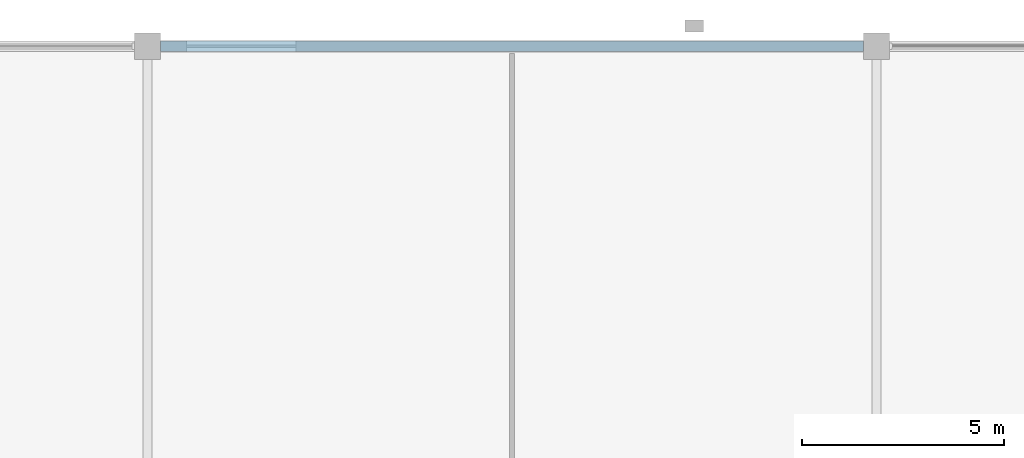
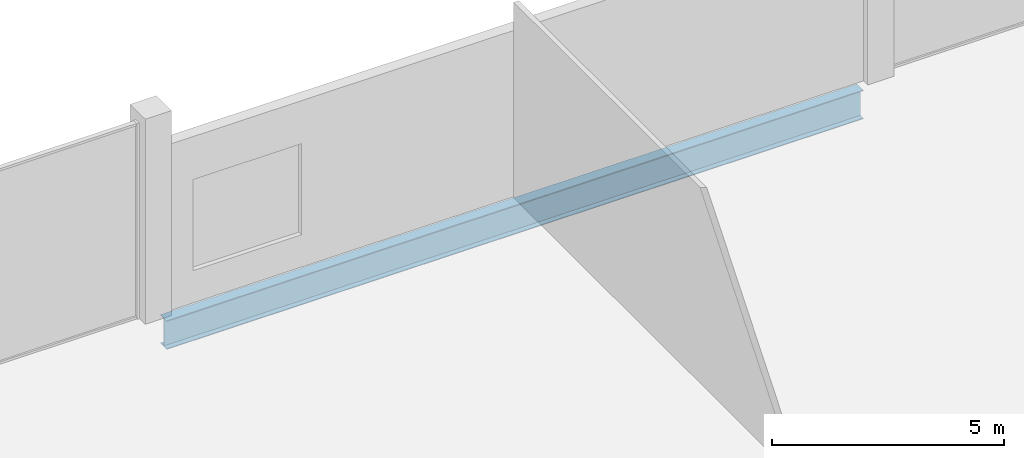
# One storey, part 40 of 111: 1 beam.
"""IFC4 building model written with IfcOpenShell, lengths in metres."""

import ifcopenshell
import ifcopenshell.guid

model = None  # the IFC model being written
_history = None  # IfcOwnerHistory: only IFC2X3 demands one
_inside = {}  # id of a spatial element -> (the spatial element, [elements in it])
_under = {}  # id of a project, library or spatial element -> (it, [spatial elements below it])
_declared = {}  # id of a project -> (the project, [libraries it declares])
_typed = {}  # id of a type object -> (the type object, [elements of that type])
_made_of = {}  # id of a material, layer set ... -> (it, [elements and type objects made of it])


def new_model(schema):
    """Start an empty IFC model of exactly this schema.

    Asked for "IFC4X3", IfcOpenShell would pick the latest addendum, in which some entities
    have other attributes; the version numbers below select the first issue.
    IFC2X3 requires an IfcOwnerHistory on every rooted entity: one is made here for all.
    """
    global model, _history
    if schema == "IFC4X3":
        model = ifcopenshell.file(schema_version=(4, 3, 0, 0))
    else:
        model = ifcopenshell.file(schema=schema)
    _inside.clear()
    _under.clear()
    _declared.clear()
    _typed.clear()
    _made_of.clear()
    _history = None
    if model.schema == "IFC2X3":
        org = make("IfcOrganization", Name="unknown")
        user = make(
            "IfcPersonAndOrganization",
            ThePerson=make("IfcPerson", FamilyName="unknown"),
            TheOrganization=org,
        )
        app = make(
            "IfcApplication",
            ApplicationDeveloper=org,
            Version="unknown",
            ApplicationFullName="unknown",
            ApplicationIdentifier="unknown",
        )
        _history = make(
            "IfcOwnerHistory",
            OwningUser=user,
            OwningApplication=app,
            ChangeAction="ADDED",
            CreationDate=0,
        )
    return model


def make(cls, **values):
    """One entity of the class cls with the attributes given. An attribute that is None is left unset."""
    return model.create_entity(
        cls, **{name: value for name, value in values.items() if value is not None}
    )


def rooted(cls, **values):
    """An entity with a GlobalId (a new one), such as an element, a storey or a relation."""
    return make(cls, GlobalId=ifcopenshell.guid.new(), OwnerHistory=_history, **values)


def si_unit(unit_type, name, prefix=None):
    """IfcSIUnit, for example si_unit("LENGTHUNIT", "METRE", prefix="MILLI")."""
    return make("IfcSIUnit", UnitType=unit_type, Prefix=prefix, Name=name)


def assignment(units):
    """IfcUnitAssignment: the units of a project."""
    return None if units is None else make("IfcUnitAssignment", Units=units)


def point(xyz):
    """IfcCartesianPoint."""
    return None if xyz is None else make("IfcCartesianPoint", Coordinates=xyz)


def direction(xyz):
    """IfcDirection."""
    return None if xyz is None else make("IfcDirection", DirectionRatios=xyz)


def frame(location, z_axis=None, x_axis=None):
    """IfcAxis2Placement3D, a coordinate frame: its origin and axes. An axis left out is left unset."""
    return make(
        "IfcAxis2Placement3D",
        Location=point(location),
        Axis=direction(z_axis),
        RefDirection=direction(x_axis),
    )


def frame_2d(location, x_axis=None):
    """IfcAxis2Placement2D, a coordinate frame in the plane: its origin and x axis."""
    return make(
        "IfcAxis2Placement2D", Location=point(location), RefDirection=direction(x_axis)
    )


def origin():
    """The frame at (0, 0, 0) with its axes left unset."""
    return frame((0.0, 0.0, 0.0))


def origin_2d():
    """The frame at (0, 0) in the plane with its x axis left unset."""
    return frame_2d((0.0, 0.0))


def place(relative_to, where):
    """IfcLocalPlacement: puts the frame where relative to a parent placement (None: the world)."""
    return make(
        "IfcLocalPlacement", PlacementRelTo=relative_to, RelativePlacement=where
    )


def context(
    kind, dimensions, precision=None, world=None, true_north=None, identifier=None
):
    """IfcGeometricRepresentationContext, for example the 3D "Model" context."""
    return make(
        "IfcGeometricRepresentationContext",
        ContextIdentifier=identifier,
        ContextType=kind,
        CoordinateSpaceDimension=dimensions,
        Precision=precision,
        WorldCoordinateSystem=world,
        TrueNorth=true_north,
    )


def subcontext(parent, identifier, kind, view, scale=None):
    """IfcGeometricRepresentationSubContext, for example "Body" below "Model"."""
    return make(
        "IfcGeometricRepresentationSubContext",
        ContextIdentifier=identifier,
        ContextType=kind,
        ParentContext=parent,
        TargetScale=scale,
        TargetView=view,
    )


def project(units=None, contexts=None):
    """IfcProject with its units and contexts."""
    return rooted(
        "IfcProject",
        Name="project",
        RepresentationContexts=contexts,
        UnitsInContext=assignment(units),
    )


def spatial(cls, under=None, at=None, **own):
    """A site, building, storey or space (cls), placed at a placement, below another one or the project."""
    s = rooted(cls, ObjectPlacement=at, **own)
    if under is not None:
        _under.setdefault(under.id(), (under, []))[1].append(s)
    return s


def profile(cls, at=None, kind="AREA", **sizes):
    """A parametric profile (cls). Its sizes go by their IFC names, for example OverallWidth=200.0."""
    return make(cls, ProfileType=kind, Position=at, **sizes)


def i_section(**sizes):
    """IfcIShapeProfileDef."""
    return profile("IfcIShapeProfileDef", **sizes)


def extrude(swept, where, along, depth):
    """IfcExtrudedAreaSolid: the profile swept, set in the frame where, extruded along a direction by depth."""
    return make(
        "IfcExtrudedAreaSolid",
        SweptArea=swept,
        Position=where,
        ExtrudedDirection=direction(along),
        Depth=depth,
    )


def shape(context_of_items, identifier, shape_type, items):
    """IfcShapeRepresentation: the items that make up one representation, for example the "Body"."""
    return make(
        "IfcShapeRepresentation",
        ContextOfItems=context_of_items,
        RepresentationIdentifier=identifier,
        RepresentationType=shape_type,
        Items=items,
    )


def material(Name=None, Category=None):
    """IfcMaterial."""
    return make("IfcMaterial", Name=Name, Category=Category)


def material_profile(
    of_material, cross_section, Name=None, Category=None, Priority=None
):
    """IfcMaterialProfile: a cross section and its material."""
    return make(
        "IfcMaterialProfile",
        Name=Name,
        Material=of_material,
        Profile=cross_section,
        Priority=Priority,
        Category=Category,
    )


def profile_set(profiles, Name=None, composite=None):
    """IfcMaterialProfileSet."""
    return make(
        "IfcMaterialProfileSet",
        Name=Name,
        MaterialProfiles=profiles,
        CompositeProfile=composite,
    )


def made_of(thing, what):
    """Note that an element or type object is made of a material, layer set ...; save() writes the relation."""
    if what is not None:
        _made_of.setdefault(what.id(), (what, []))[1].append(thing)
    return thing


def type_object(cls, material=None, **own):
    """A type object (cls), such as IfcWallType, which elements share."""
    return made_of(rooted(cls, **own), material)


def element(
    cls,
    number,
    at=None,
    inside=None,
    cuts=None,
    type_object=None,
    material=None,
    context=None,
    identifier="Body",
    shape_type=None,
    held_by="IfcProductDefinitionShape",
    body=None,
    shapes=None,
    **own,
):
    """One element of the class cls, such as IfcWall. Its Tag is "e" and its number.

    at: its placement. inside: the storey or other place that contains it. cuts: it is an
    opening in that element (IfcRelVoidsElement). A single representation is given by context,
    identifier, shape_type and body (its items); several are given by shapes. held_by: the class
    of the entity that holds the representations. save() writes the other relations.
    """
    e = rooted(cls, Tag="e%d" % number, ObjectPlacement=at, **own)
    if body is not None:
        shapes = [shape(context, identifier, shape_type, body)]
    if shapes is not None:
        e.Representation = make(held_by, Representations=shapes)
    if inside is not None:
        _inside.setdefault(inside.id(), (inside, []))[1].append(e)
    if cuts is not None:
        rooted(
            "IfcRelVoidsElement", RelatingBuildingElement=cuts, RelatedOpeningElement=e
        )
    if type_object is not None:
        _typed.setdefault(type_object.id(), (type_object, []))[1].append(e)
    return made_of(e, material)


def aggregate(whole, parts):
    """IfcRelAggregates: a whole, such as a stair, and the parts it consists of."""
    return rooted("IfcRelAggregates", RelatingObject=whole, RelatedObjects=parts)


def save(model, path):
    """Write the relations noted so far, then the file.

    IfcRelAggregates (storeys below a building ...), IfcRelContainedInSpatialStructure (elements
    in a storey), IfcRelDefinesByType, IfcRelAssociatesMaterial and IfcRelDeclares: one each for
    every whole, place, type object, material and project.
    """
    for whole, parts in _under.values():
        aggregate(whole, parts)
    for where, things in _inside.values():
        rooted(
            "IfcRelContainedInSpatialStructure",
            RelatedElements=things,
            RelatingStructure=where,
        )
    for kind, things in _typed.values():
        rooted("IfcRelDefinesByType", RelatedObjects=things, RelatingType=kind)
    for what, things in _made_of.values():
        rooted("IfcRelAssociatesMaterial", RelatedObjects=things, RelatingMaterial=what)
    for by, libraries in _declared.values():
        rooted("IfcRelDeclares", RelatingContext=by, RelatedDefinitions=libraries)
    model.write(path)


model = new_model("IFC4")

# Units and contexts
model_context = context("Model", 3, precision=1e-05, world=origin(), true_north=direction((0.0, 1.0)))
body_context = subcontext(model_context, "Body", "Model", "MODEL_VIEW")
ifc_project = project(units=[si_unit("LENGTHUNIT", "METRE"), si_unit("AREAUNIT", "SQUARE_METRE"), si_unit("VOLUMEUNIT", "CUBIC_METRE"), si_unit("PLANEANGLEUNIT", "RADIAN"), si_unit("MASSUNIT", "GRAM", prefix="KILO")], contexts=[model_context])

# Site, building, storey
site_placement = place(None, origin())
site = spatial("IfcSite", under=ifc_project, at=site_placement, CompositionType="ELEMENT")
building_placement = place(site_placement, origin())
building = spatial("IfcBuilding", under=site, at=building_placement, Name="Kisiwana Market Hall", CompositionType="ELEMENT")
storey_placement = place(building_placement, frame((0.0, 0.0, 11.39990234375)))
storey = spatial("IfcBuildingStorey", under=building, at=storey_placement, Name="L02", CompositionType="ELEMENT", Elevation=11.39990234375)

# Beam
ifc_material = material(Name="Steel S355", Category="steel")
ifc_material_profile = material_profile(ifc_material, i_section(OverallWidth=0.2666015625, OverallDepth=0.76220703125, WebThickness=0.014404296875, FlangeThickness=0.021484375, at=origin_2d()), Name="UB 762x267x173")
ifc_profile_set = profile_set([ifc_material_profile], Name="Steel S355")
beam_type = type_object("IfcBeamType", Name="BM-GIRD-UB762", PredefinedType="BEAM", material=ifc_profile_set)
beam_placement = place(storey_placement, frame((117.321044921875, 120.0, -0.631103515625), z_axis=(1.0, 0.0, 0.0), x_axis=(0.0, 1.0, 0.0)))
element("IfcBeam", 1, at=beam_placement, inside=storey, type_object=beam_type, Name="Floor beam B-0819", PredefinedType="BEAM", context=body_context, shape_type="SweptSolid", body=[
    extrude(i_section(OverallWidth=0.2666015625, OverallDepth=0.76220703125, WebThickness=0.014404296875, FlangeThickness=0.021484375, at=origin_2d()), origin(), (0.0, 0.0, 1.0), 17.35791015625),
])

save(model, "model.ifc")
